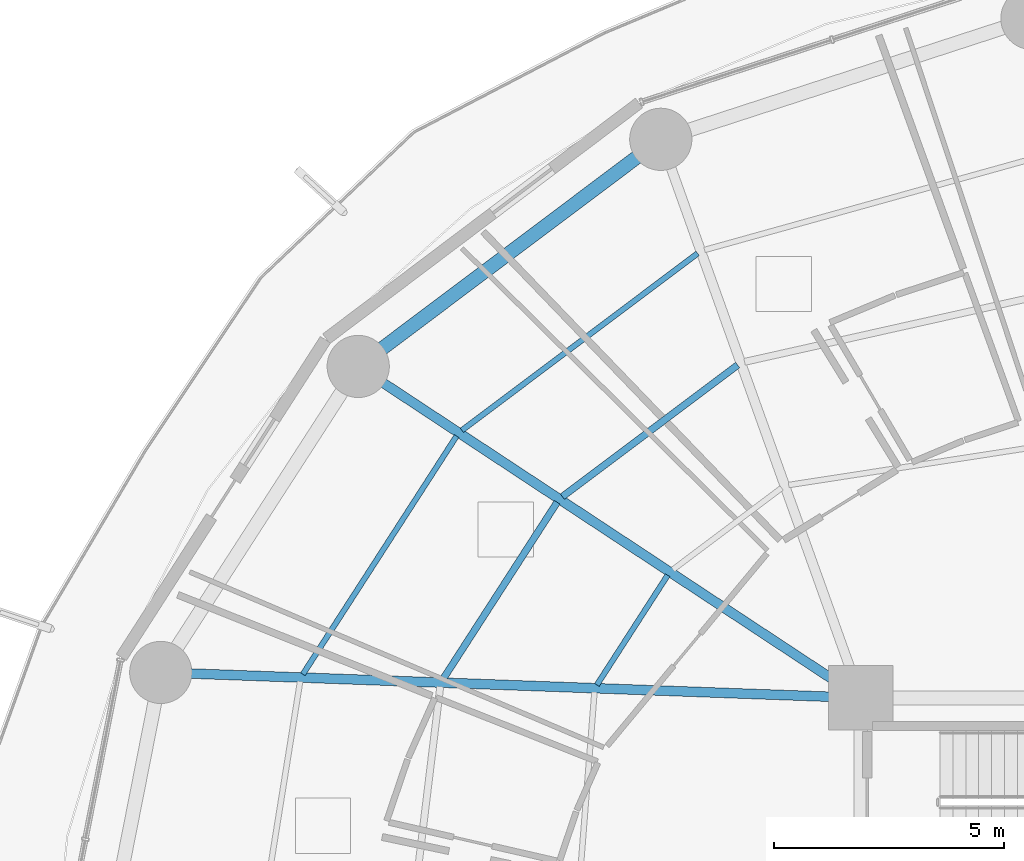
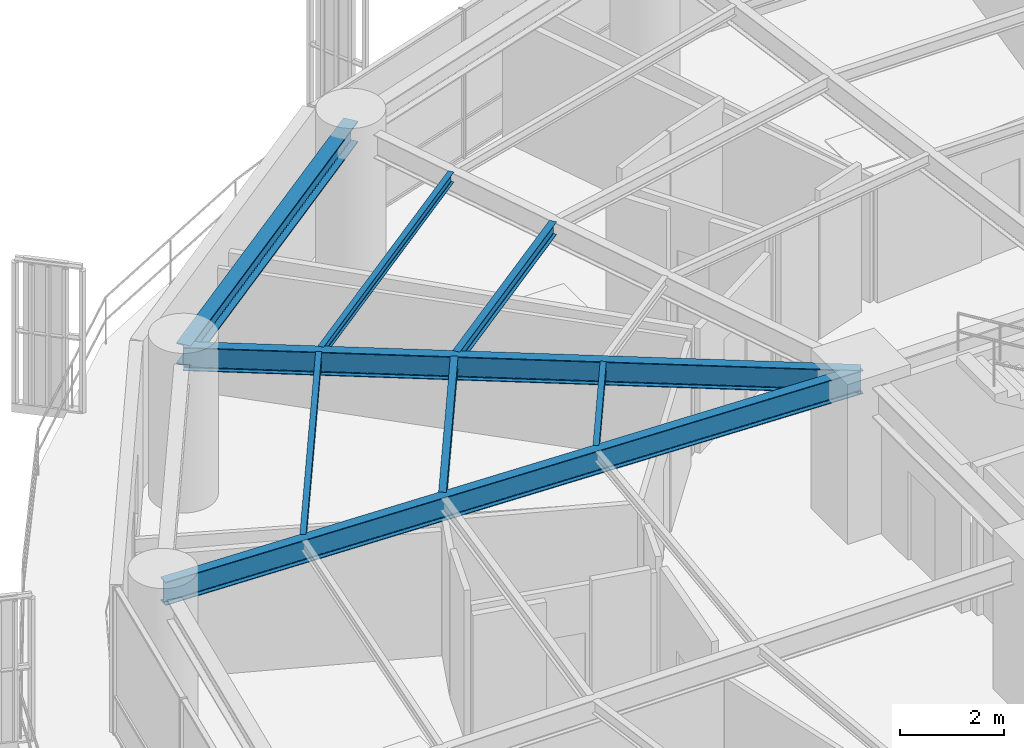
# One storey, part 16 of 33: 8 beams.
"""IFC4 building model written with IfcOpenShell, lengths in metres."""

from ifc_helpers import new_model, si_unit, direction, frame, origin, origin_2d, place, context, subcontext, project, spatial, i_section, extrude, material, material_profile, profile_set, type_object, element, save


model = new_model("IFC4")

# Units and contexts
model_context = context("Model", 3, precision=1e-05, world=origin(), true_north=direction((0.0, 1.0)))
body_context = subcontext(model_context, "Body", "Model", "MODEL_VIEW")
ifc_project = project(units=[si_unit("LENGTHUNIT", "METRE"), si_unit("AREAUNIT", "SQUARE_METRE"), si_unit("VOLUMEUNIT", "CUBIC_METRE"), si_unit("PLANEANGLEUNIT", "RADIAN"), si_unit("MASSUNIT", "GRAM", prefix="KILO")], contexts=[model_context])

# Site, building, storey
site_placement = place(None, origin())
site = spatial("IfcSite", under=ifc_project, at=site_placement, CompositionType="ELEMENT")
building_placement = place(site_placement, origin())
building = spatial("IfcBuilding", under=site, at=building_placement, Name="Kelanora Arch Commons", CompositionType="ELEMENT")
storey_placement = place(building_placement, frame((0.0, 0.0, 83.85009765625)))
storey = spatial("IfcBuildingStorey", under=building, at=storey_placement, Name="L21", CompositionType="ELEMENT", Elevation=83.85009765625)

# Beams
ifc_material = material(Name="Steel S355", Category="steel")
ifc_material_profile_1 = material_profile(ifc_material, i_section(OverallWidth=0.14990234375, OverallDepth=0.300048828125, WebThickness=0.007080078125, FlangeThickness=0.0107421875, FilletRadius=0.014892578125, at=origin_2d()), Name="IPE300")
ifc_profile_set_1 = profile_set([ifc_material_profile_1], Name="Steel S355")
beam_type_1 = type_object("IfcBeamType", Name="BM-JST-01", PredefinedType="JOIST", material=ifc_profile_set_1)
beam_1_placement = place(storey_placement, frame((63.327880859375, 72.22216796875, 3.33984375), z_axis=(-0.79971039107, -0.600385951214, 0.0), x_axis=(0.600385951214, -0.79971039107, 0.0)))
element("IfcBeam", 1, at=beam_1_placement, inside=storey, type_object=beam_type_1, Name="Secondary Chord Joist BJB-12 L21", PredefinedType="JOIST", context=body_context, shape_type="SweptSolid", body=[
    extrude(i_section(OverallWidth=0.14990234375, OverallDepth=0.300048828125, WebThickness=0.007080078125, FlangeThickness=0.0107421875, FilletRadius=0.014892578125, at=origin_2d()), origin(), (0.0, 0.0, 1.0), 4.756103515625),
])
beam_2_placement = place(storey_placement, frame((59.410400390625, 69.244384765625, 3.33984375), z_axis=(-0.542230243286, -0.840229946661, 0.0), x_axis=(0.840229946661, -0.542230243286, 0.0)))
element("IfcBeam", 2, at=beam_2_placement, inside=storey, type_object=beam_type_1, Name="Secondary Chord Joist BJB-14 L21", PredefinedType="JOIST", context=body_context, shape_type="SweptSolid", body=[
    extrude(i_section(OverallWidth=0.14990234375, OverallDepth=0.300048828125, WebThickness=0.007080078125, FlangeThickness=0.0107421875, FilletRadius=0.014892578125, at=origin_2d()), origin(), (0.0, 0.0, 1.0), 4.572265625),
])
ifc_material_profile_2 = material_profile(ifc_material, i_section(OverallWidth=0.1201171875, OverallDepth=0.239990234375, WebThickness=0.006103515625, FlangeThickness=0.009765625, FilletRadius=0.014892578125, at=origin_2d()), Name="IPE240")
ifc_profile_set_2 = profile_set([ifc_material_profile_2], Name="Steel S355")
beam_type_2 = type_object("IfcBeamType", Name="BM-JST-02", PredefinedType="JOIST", material=ifc_profile_set_2)
beam_3_placement = place(storey_placement, frame((62.4599609375, 74.646484375, 3.369873046875), z_axis=(-0.799734335646, -0.600354055861, 0.0), x_axis=(0.600354055861, -0.799734335646, 0.0)))
element("IfcBeam", 3, at=beam_3_placement, inside=storey, type_object=beam_type_2, Name="Secondary Chord Joist BJC-12 L21", PredefinedType="JOIST", context=body_context, shape_type="SweptSolid", body=[
    extrude(i_section(OverallWidth=0.1201171875, OverallDepth=0.239990234375, WebThickness=0.006103515625, FlangeThickness=0.009765625, FilletRadius=0.014892578125, at=origin_2d()), origin(), (0.0, 0.0, 1.0), 6.39794921875),
])
beam_4_placement = place(storey_placement, frame((61.8095703125, 67.661865234375, 3.369873046875), z_axis=(-0.542211255502, -0.840242199849, 0.0), x_axis=(0.840242199849, -0.542211255502, 0.0)))
element("IfcBeam", 4, at=beam_4_placement, inside=storey, type_object=beam_type_2, Name="Secondary Chord Joist BJA-14 L21", PredefinedType="JOIST", context=body_context, shape_type="SweptSolid", body=[
    extrude(i_section(OverallWidth=0.1201171875, OverallDepth=0.239990234375, WebThickness=0.006103515625, FlangeThickness=0.009765625, FilletRadius=0.014892578125, at=origin_2d()), origin(), (0.0, 0.0, 1.0), 2.83349609375),
])
beam_5_placement = place(storey_placement, frame((57.22900390625, 70.682861328125, 3.369873046875), z_axis=(-0.542212726273, -0.840241250754, 0.0), x_axis=(0.840241250754, -0.542212726273, 0.0)))
element("IfcBeam", 5, at=beam_5_placement, inside=storey, type_object=beam_type_2, Name="Secondary Chord Joist BJC-14 L21", PredefinedType="JOIST", context=body_context, shape_type="SweptSolid", body=[
    extrude(i_section(OverallWidth=0.1201171875, OverallDepth=0.239990234375, WebThickness=0.006103515625, FlangeThickness=0.009765625, FilletRadius=0.014892578125, at=origin_2d()), origin(), (0.0, 0.0, 1.0), 6.15283203125),
])
ifc_material_profile_3 = material_profile(ifc_material, i_section(OverallWidth=0.2099609375, OverallDepth=0.550048828125, WebThickness=0.010986328125, FlangeThickness=0.01708984375, FilletRadius=0.02392578125, at=origin_2d()), Name="IPE550")
ifc_profile_set_3 = profile_set([ifc_material_profile_3], Name="Steel S355")
beam_type_3 = type_object("IfcBeamType", Name="BM-RAD-Z2", PredefinedType="BEAM", material=ifc_profile_set_3)
beam_6_placement = place(storey_placement, frame((66.0, 65.0, 3.21484375), z_axis=(-0.834788577908, 0.550570640512, 0.0), x_axis=(-0.550570640512, -0.834788577908, 0.0)))
element("IfcBeam", 6, at=beam_6_placement, inside=storey, type_object=beam_type_3, Name="Radial Floor Girder BR-14 L21", PredefinedType="BEAM", context=body_context, shape_type="SweptSolid", body=[
    extrude(i_section(OverallWidth=0.2099609375, OverallDepth=0.550048828125, WebThickness=0.010986328125, FlangeThickness=0.01708984375, FilletRadius=0.02392578125, at=origin_2d()), origin(), (0.0, 0.0, 1.0), 13.064453125),
])
beam_7_placement = place(storey_placement, frame((66.0, 65.0, 3.21484375), z_axis=(-0.999341087625, 0.036295875581, 0.0), x_axis=(-0.036295875581, -0.999341087625, 0.0)))
element("IfcBeam", 7, at=beam_7_placement, inside=storey, type_object=beam_type_3, Name="Radial Floor Girder BR-16 L21", PredefinedType="BEAM", context=body_context, shape_type="SweptSolid", body=[
    extrude(i_section(OverallWidth=0.2099609375, OverallDepth=0.550048828125, WebThickness=0.010986328125, FlangeThickness=0.01708984375, FilletRadius=0.02392578125, at=origin_2d()), origin(), (0.0, 0.0, 1.0), 15.20166015625),
])
ifc_material_profile_4 = material_profile(ifc_material, i_section(OverallWidth=0.300048828125, OverallDepth=0.5, WebThickness=0.014404296875, FlangeThickness=0.028076171875, FilletRadius=0.027099609375, at=origin_2d()), Name="HEB500")
ifc_profile_set_4 = profile_set([ifc_material_profile_4], Name="Steel S355")
beam_type_4 = type_object("IfcBeamType", Name="BM-SPN-Z2", PredefinedType="SPANDREL", material=ifc_profile_set_4)
beam_8_placement = place(storey_placement, frame((61.659912109375, 77.121826171875, 3.239990234375), z_axis=(-0.799735861602, -0.600352023123, 0.0), x_axis=(0.600352023123, -0.799735861602, 0.0)))
element("IfcBeam", 8, at=beam_8_placement, inside=storey, type_object=beam_type_4, Name="Perimeter Spandrel Beam BS-12 L21", PredefinedType="SPANDREL", context=body_context, shape_type="SweptSolid", body=[
    extrude(i_section(OverallWidth=0.300048828125, OverallDepth=0.5, WebThickness=0.014404296875, FlangeThickness=0.028076171875, FilletRadius=0.027099609375, at=origin_2d()), origin(), (0.0, 0.0, 1.0), 8.210205078125),
])

save(model, "model.ifc")
